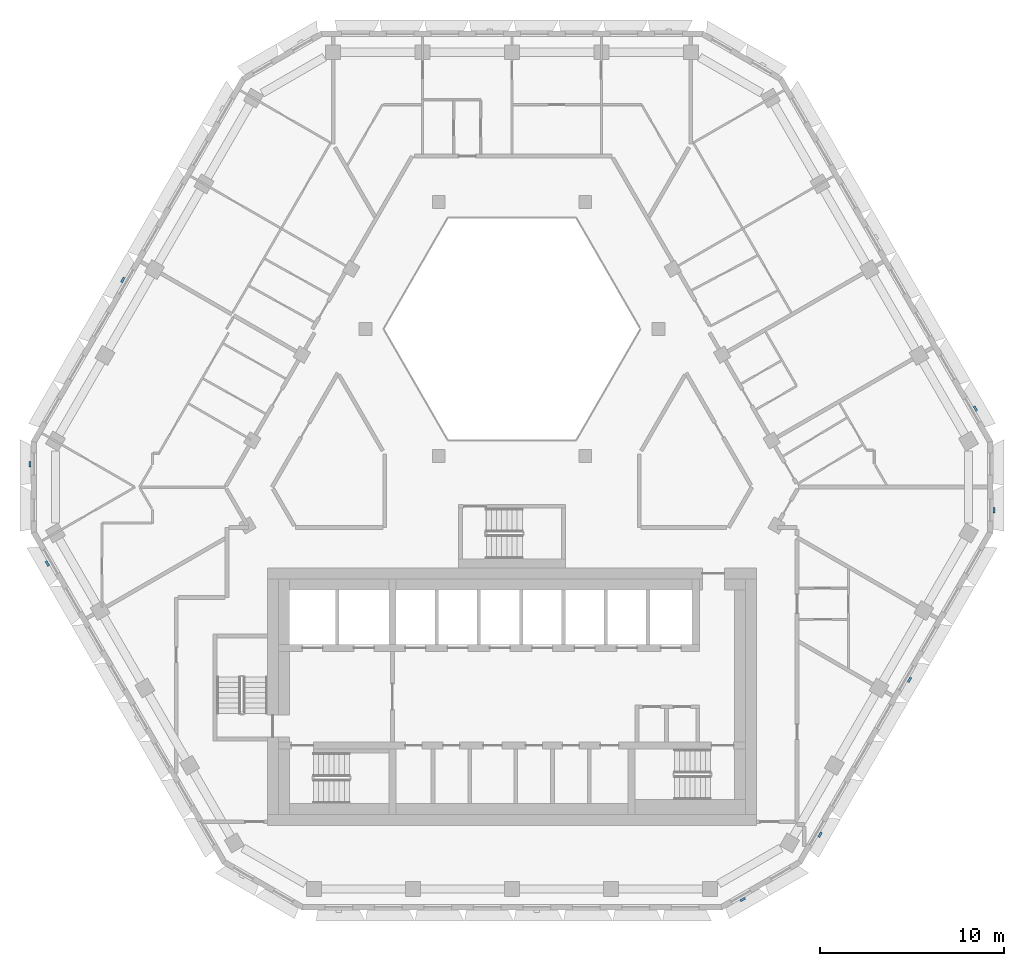
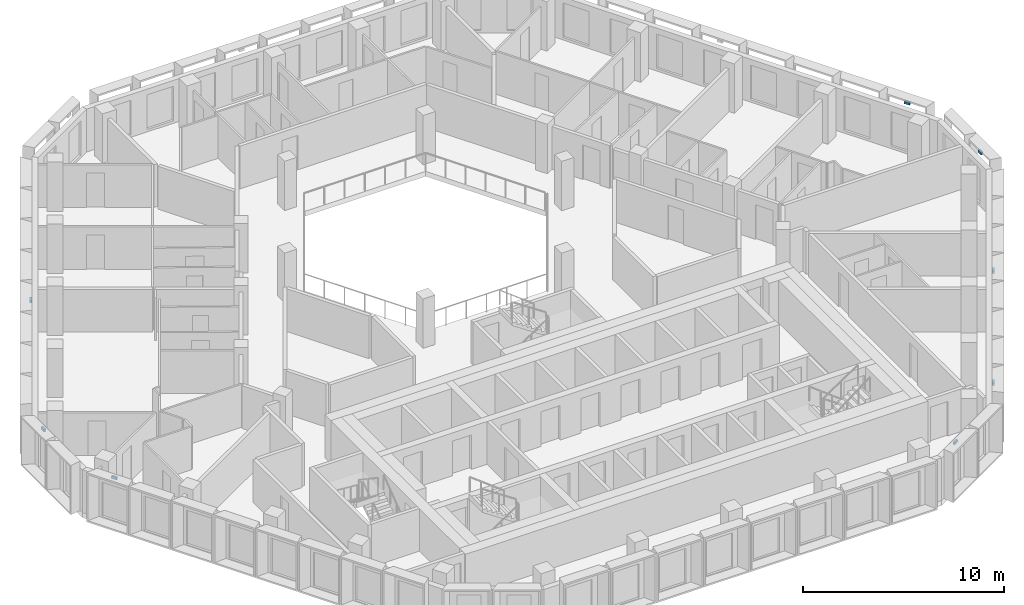
# One storey, part 10 of 18: 8 discrete accessories.
"""IFC4 building model written with IfcOpenShell, lengths in metres."""

from ifc_helpers import new_model, si_unit, direction, frame, origin, place, context, subcontext, project, spatial, polyline, outline, extrude, source, transform, mapped, material, type_object, type_shapes, element, save


model = new_model("IFC4")

# Units and contexts
model_context = context("Model", 3, precision=1e-05, world=origin(), true_north=direction((0.0, 1.0)))
body_context = subcontext(model_context, "Body", "Model", "MODEL_VIEW")
ifc_project = project(units=[si_unit("LENGTHUNIT", "METRE"), si_unit("AREAUNIT", "SQUARE_METRE"), si_unit("VOLUMEUNIT", "CUBIC_METRE"), si_unit("PLANEANGLEUNIT", "RADIAN"), si_unit("MASSUNIT", "GRAM", prefix="KILO")], contexts=[model_context])

# Site, building, storey
site_placement = place(None, origin())
site = spatial("IfcSite", under=ifc_project, at=site_placement, CompositionType="ELEMENT")
building_placement = place(site_placement, origin())
building = spatial("IfcBuilding", under=site, at=building_placement, Name="Beryl Residences", CompositionType="ELEMENT")
storey_placement = place(building_placement, frame((0.0, 0.0, 196.199951171875)))
storey = spatial("IfcBuildingStorey", under=building, at=storey_placement, Name="L60", CompositionType="ELEMENT", Elevation=196.199951171875)

# Discrete accessories
ifc_material = material(Name="Steel S355", Category="steel")
discrete_accessory_type = type_object("IfcDiscreteAccessoryType", Name="BR1 frame bracket 300 x 120 x 150 mm", PredefinedType="BRACKET", material=ifc_material)
shared_shape = source(origin(), body_context, "Body", "SweptSolid", [
    extrude(outline(polyline([(-0.14990234375, 0.0), (0.14990234375, 0.0), (0.14990234375, 0.1201171875), (-0.14990234375, 0.1201171875), (-0.14990234375, 0.0)])), origin(), (0.0, 0.0, 1.0), 0.14990234375),
])
type_shapes(discrete_accessory_type, [shared_shape])
for number, where, z_axis, x_axis, name in (
    (1, (-21.111083984375, 10.634033203125, 2.75), (0.0, 0.0, 1.0), (0.5, 0.866025403784, 0.0), "BR1 bracket L60 NW 5"),
    (2, (-26.154052734375, 0.64990234375, 2.75), (0.0, 0.0, 1.0), (0.0, 1.0, 0.0), "BR1 bracket L60 NW-SW 1"),
    (3, (-25.212890625, -4.72802734375, 2.75), (0.0, 0.0, 1.0), (-0.5, 0.866025403784, 0.0), "BR1 bracket L60 SW 1"),
    (4, (12.513916015625, -22.97509765625, 2.75), (0.0, 0.0, 1.0), (-0.866025403784, -0.5, 0.0), "BR1 bracket L60 S-SE 1"),
    (5, (16.700927734375, -19.471923828125, 2.75), (0.0, 0.0, 1.0), (-0.5, -0.866025403784, 0.0), "BR1 bracket L60 SE 1"),
    (6, (21.56396484375, -11.048095703125, 2.75), (0.0, 0.0, 1.0), (-0.5, -0.866025403784, 0.0), "BR1 bracket L60 SE 5"),
    (7, (26.154052734375, -1.85009765625, 2.75), (0.0, 0.0, 1.0), (0.0, -1.0, 0.0), "BR1 bracket L60 SE-NE 1"),
    (8, (25.14892578125, 3.639892578125, 2.75), (0.0, 0.0, 1.0), (0.5, -0.866025403784, 0.0), "BR1 bracket L60 NE 1"),
):
    element("IfcDiscreteAccessory", number, at=place(storey_placement, frame(where, z_axis=z_axis, x_axis=x_axis)), inside=storey, type_object=discrete_accessory_type, Name=name, PredefinedType="BRACKET", context=body_context, shape_type="MappedRepresentation", body=[
        mapped(shared_shape, transform((0.0, 0.0, 0.0))),
    ])

save(model, "model.ifc")
